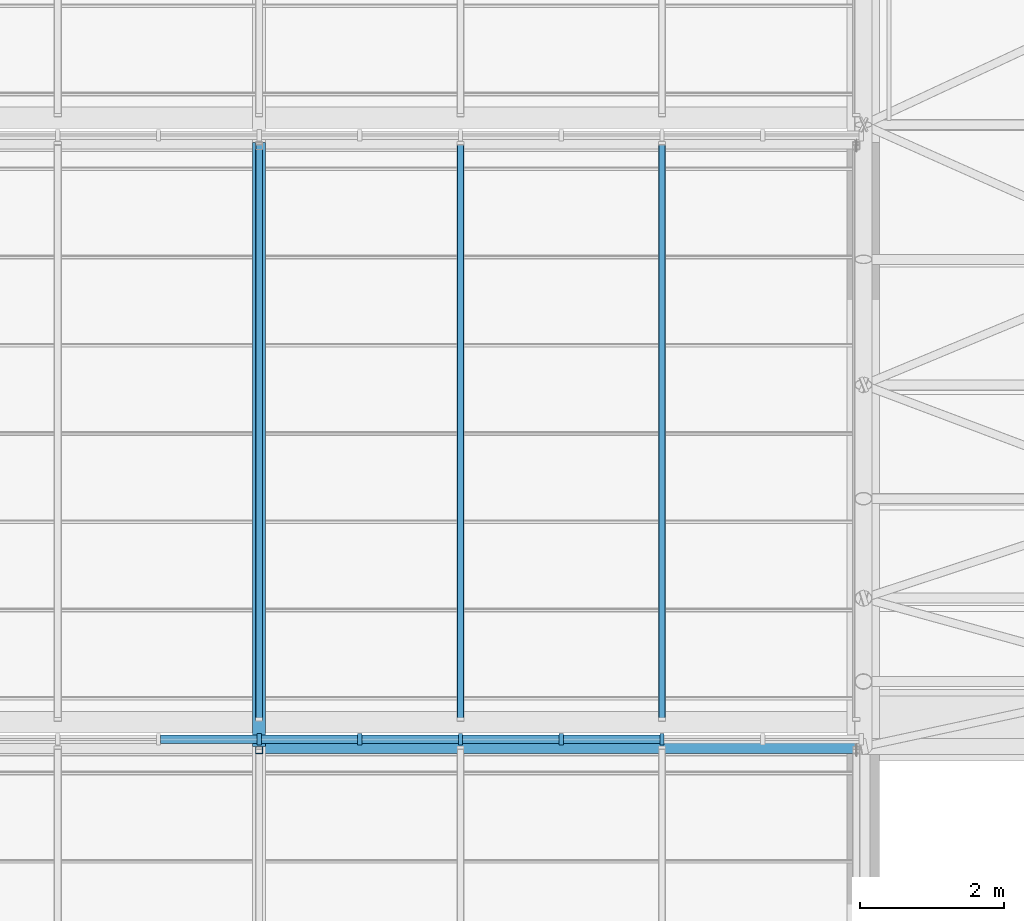
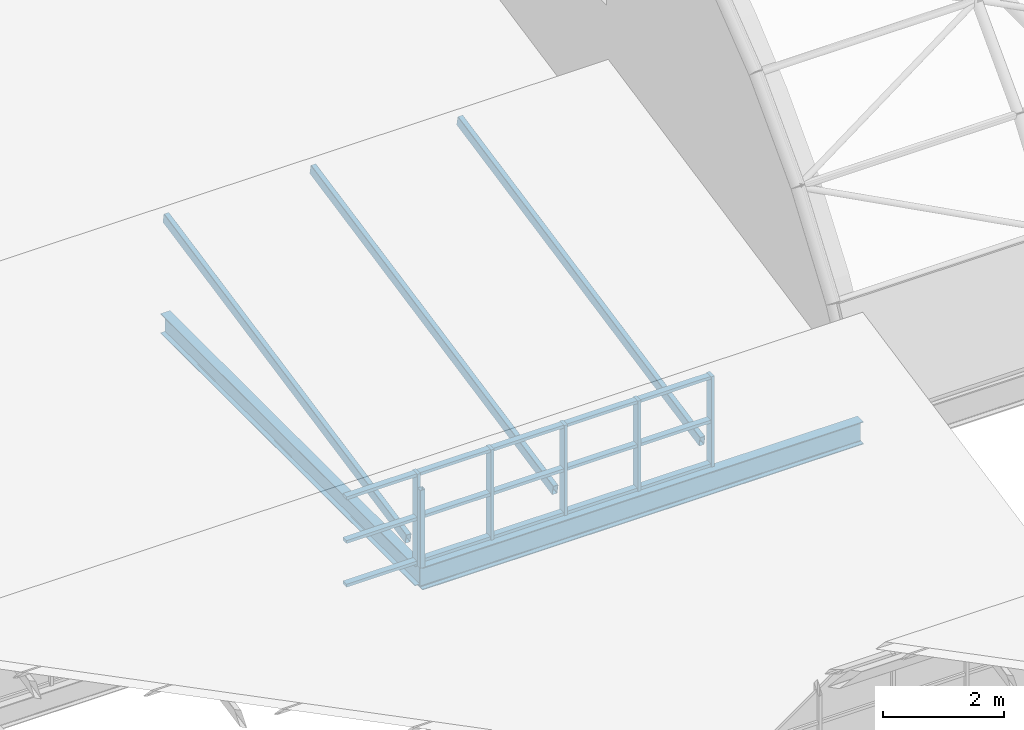
# One storey, part 24 of 121: 24 members, 2 beams, 1 element without a shape of its own.
"""IFC4 building model written with IfcOpenShell, lengths in metres."""

from ifc_helpers import new_model, si_unit, direction, frame, origin, origin_2d, place, context, subcontext, project, spatial, rectangle, hollow_rectangle, i_section, extrude, material, layer, layer_set, material_profile, profile_set, type_object, element, aggregate, save


model = new_model("IFC4")

# Units and contexts
model_context = context("Model", 3, precision=1e-05, world=origin(), true_north=direction((0.0, 1.0)))
body_context = subcontext(model_context, "Body", "Model", "MODEL_VIEW")
ifc_project = project(units=[si_unit("LENGTHUNIT", "METRE"), si_unit("AREAUNIT", "SQUARE_METRE"), si_unit("VOLUMEUNIT", "CUBIC_METRE"), si_unit("PLANEANGLEUNIT", "RADIAN"), si_unit("MASSUNIT", "GRAM", prefix="KILO")], contexts=[model_context])

# Site, building, storey
site_placement = place(None, origin())
site = spatial("IfcSite", under=ifc_project, at=site_placement, CompositionType="ELEMENT")
building_placement = place(site_placement, origin())
building = spatial("IfcBuilding", under=site, at=building_placement, Name="Ardhachandra Cancer Care Centre", CompositionType="ELEMENT")
storey_placement = place(building_placement, frame((0.0, 0.0, 9.0)))
storey = spatial("IfcBuildingStorey", under=building, at=storey_placement, Name="L02", CompositionType="ELEMENT", Elevation=9.0)

# Beams
ifc_material_1 = material(Name="Steel E350 (IS 2062)", Category="steel")
ifc_material_profile_1 = material_profile(ifc_material_1, i_section(OverallWidth=0.179931640625, OverallDepth=0.39990234375, WebThickness=0.008544921875, FlangeThickness=0.013427734375, FilletRadius=0.02099609375, at=origin_2d()), Name="NPB 400x180x66.30")
ifc_profile_set_1 = profile_set([ifc_material_profile_1], Name="Steel E350 (IS 2062)")
beam_type_1 = type_object("IfcBeamType", Name="Beam NPB 400x180x66.30", PredefinedType="BEAM", material=ifc_profile_set_1)
beam_1_placement = place(storey_placement, frame((36.0, 54.60009765625, -0.199951171875), z_axis=(0.0, 1.0, 0.0), x_axis=(-1.0, 0.0, 0.0)))
element("IfcBeam", 1, at=beam_1_placement, inside=storey, type_object=beam_type_1, Name="Roof girder F4-G4", PredefinedType="BEAM", context=body_context, shape_type="SweptSolid", body=[
    extrude(i_section(OverallWidth=0.179931640625, OverallDepth=0.39990234375, WebThickness=0.008544921875, FlangeThickness=0.013427734375, FilletRadius=0.02099609375, at=origin_2d()), origin(), (0.0, 0.0, 1.0), 8.39990234375),
])
ifc_material_2 = material(Name="Steel E350 (IS 2062)", Category="steel")
ifc_material_profile_2 = material_profile(ifc_material_2, i_section(OverallWidth=0.19189453125, OverallDepth=0.4560546875, WebThickness=0.010986328125, FlangeThickness=0.017578125, FilletRadius=0.02099609375, at=origin_2d()), Name="NPB 450x190x92.36")
ifc_profile_set_2 = profile_set([ifc_material_profile_2], Name="Steel E350 (IS 2062)")
beam_type_2 = type_object("IfcBeamType", Name="Beam NPB 450x190x92.36", PredefinedType="BEAM", material=ifc_profile_set_2)
beam_2_placement = place(storey_placement, frame((36.0, 54.60009765625, -0.22802734375), z_axis=(1.0, 0.0, 0.0), x_axis=(0.0, 1.0, 0.0)))
element("IfcBeam", 2, at=beam_2_placement, inside=storey, type_object=beam_type_2, Name="Roof girder F4-F5", PredefinedType="BEAM", context=body_context, shape_type="SweptSolid", body=[
    extrude(i_section(OverallWidth=0.19189453125, OverallDepth=0.4560546875, WebThickness=0.010986328125, FlangeThickness=0.017578125, FilletRadius=0.02099609375, at=origin_2d()), origin(), (0.0, 0.0, 1.0), 8.39990234375),
])

# Curtain wall, members
ifc_material_3 = material(Name="Aluminium extrusion", Category="aluminium")
ifc_layer = layer(ifc_material_3, 0.14990234375)
ifc_layer_set = layer_set([ifc_layer], Name="Aluminium extrusion")
curtain_wall_type = type_object("IfcCurtainWallType", Name="Curtain wall run", PredefinedType="NOTDEFINED", material=ifc_layer_set)
curtain_wall_placement = place(storey_placement, origin())
curtain_wall = element("IfcCurtainWall", 3, at=curtain_wall_placement, inside=storey, type_object=curtain_wall_type, Name="Curtain wall L02 n/0010800_0054700", PredefinedType="NOTDEFINED")
ifc_material_4 = material(Name="Aluminium extrusion", Category="aluminium")
ifc_material_profile_3 = material_profile(ifc_material_4, rectangle(XDim=0.159912109375, YDim=0.06005859375, at=origin_2d()), Name="Curtain wall mullion 60 x 160")
ifc_profile_set_3 = profile_set([ifc_material_profile_3], Name="Aluminium extrusion")
member_type_1 = type_object("IfcMemberType", Name="Curtain wall mullion 60 x 160", PredefinedType="MULLION", material=ifc_profile_set_3)
member_1_placement = place(storey_placement, frame((36.0, 54.699951171875, 0.0), z_axis=(0.0, 0.0, 1.0), x_axis=(0.0, 1.0, 0.0)))
member_1 = element("IfcMember", 4, at=member_1_placement, type_object=member_type_1, Name="CW mullion 19", PredefinedType="MULLION", context=body_context, shape_type="SweptSolid", body=[
    extrude(rectangle(XDim=0.159912109375, YDim=0.06005859375, at=origin_2d()), origin(), (0.0, 0.0, 1.0), 1.820068359375),
])
member_2_placement = place(storey_placement, frame((37.39990234375, 54.699951171875, 0.0), z_axis=(0.0, 0.0, 1.0), x_axis=(0.0, 1.0, 0.0)))
member_2 = element("IfcMember", 5, at=member_2_placement, type_object=member_type_1, Name="CW mullion 20", PredefinedType="MULLION", context=body_context, shape_type="SweptSolid", body=[
    extrude(rectangle(XDim=0.159912109375, YDim=0.06005859375, at=origin_2d()), origin(), (0.0, 0.0, 1.0), 1.820068359375),
])
member_3_placement = place(storey_placement, frame((38.800048828125, 54.699951171875, 0.0), z_axis=(0.0, 0.0, 1.0), x_axis=(0.0, 1.0, 0.0)))
member_3 = element("IfcMember", 6, at=member_3_placement, type_object=member_type_1, Name="CW mullion 21", PredefinedType="MULLION", context=body_context, shape_type="SweptSolid", body=[
    extrude(rectangle(XDim=0.159912109375, YDim=0.06005859375, at=origin_2d()), origin(), (0.0, 0.0, 1.0), 1.820068359375),
])
member_4_placement = place(storey_placement, frame((40.199951171875, 54.699951171875, 0.0), z_axis=(0.0, 0.0, 1.0), x_axis=(0.0, 1.0, 0.0)))
member_4 = element("IfcMember", 7, at=member_4_placement, type_object=member_type_1, Name="CW mullion 22", PredefinedType="MULLION", context=body_context, shape_type="SweptSolid", body=[
    extrude(rectangle(XDim=0.159912109375, YDim=0.06005859375, at=origin_2d()), origin(), (0.0, 0.0, 1.0), 1.820068359375),
])
member_5_placement = place(storey_placement, frame((41.60009765625, 54.699951171875, 0.0), z_axis=(0.0, 0.0, 1.0), x_axis=(0.0, 1.0, 0.0)))
member_5 = element("IfcMember", 8, at=member_5_placement, type_object=member_type_1, Name="CW mullion 23", PredefinedType="MULLION", context=body_context, shape_type="SweptSolid", body=[
    extrude(rectangle(XDim=0.159912109375, YDim=0.06005859375, at=origin_2d()), origin(), (0.0, 0.0, 1.0), 1.820068359375),
])
ifc_material_5 = material(Name="Aluminium extrusion", Category="aluminium")
ifc_material_profile_4 = material_profile(ifc_material_5, rectangle(XDim=0.1201171875, YDim=0.06005859375, at=origin_2d()), Name="Curtain wall transom 60 x 120")
ifc_profile_set_4 = profile_set([ifc_material_profile_4], Name="Aluminium extrusion")
member_type_2 = type_object("IfcMemberType", Name="Curtain wall transom 60 x 120", PredefinedType="USERDEFINED", material=ifc_profile_set_4)
member_6_placement = place(storey_placement, frame((34.6298828125, 54.699951171875, 0.030029296875), z_axis=(1.0, 0.0, 0.0), x_axis=(0.0, 1.0, 0.0)))
member_6 = element("IfcMember", 9, at=member_6_placement, type_object=member_type_2, Name="CW transom 18.1", ObjectType="TRANSOM", PredefinedType="USERDEFINED", context=body_context, shape_type="SweptSolid", body=[
    extrude(rectangle(XDim=0.1201171875, YDim=0.06005859375, at=origin_2d()), origin(), (0.0, 0.0, 1.0), 1.340087890625),
])
member_7_placement = place(storey_placement, frame((34.6298828125, 54.699951171875, 0.909912109375), z_axis=(1.0, 0.0, 0.0), x_axis=(0.0, 1.0, 0.0)))
member_7 = element("IfcMember", 10, at=member_7_placement, type_object=member_type_2, Name="CW transom 18.2", ObjectType="TRANSOM", PredefinedType="USERDEFINED", context=body_context, shape_type="SweptSolid", body=[
    extrude(rectangle(XDim=0.1201171875, YDim=0.06005859375, at=origin_2d()), origin(), (0.0, 0.0, 1.0), 1.340087890625),
])
member_8_placement = place(storey_placement, frame((34.6298828125, 54.699951171875, 1.7900390625), z_axis=(1.0, 0.0, 0.0), x_axis=(0.0, 1.0, 0.0)))
member_8 = element("IfcMember", 11, at=member_8_placement, type_object=member_type_2, Name="CW transom 18.3", ObjectType="TRANSOM", PredefinedType="USERDEFINED", context=body_context, shape_type="SweptSolid", body=[
    extrude(rectangle(XDim=0.1201171875, YDim=0.06005859375, at=origin_2d()), origin(), (0.0, 0.0, 1.0), 1.340087890625),
])
member_9_placement = place(storey_placement, frame((36.030029296875, 54.699951171875, 0.030029296875), z_axis=(1.0, 0.0, 0.0), x_axis=(0.0, 1.0, 0.0)))
member_9 = element("IfcMember", 12, at=member_9_placement, type_object=member_type_2, Name="CW transom 19.1", ObjectType="TRANSOM", PredefinedType="USERDEFINED", context=body_context, shape_type="SweptSolid", body=[
    extrude(rectangle(XDim=0.1201171875, YDim=0.06005859375, at=origin_2d()), origin(), (0.0, 0.0, 1.0), 1.340087890625),
])
member_10_placement = place(storey_placement, frame((36.030029296875, 54.699951171875, 0.909912109375), z_axis=(1.0, 0.0, 0.0), x_axis=(0.0, 1.0, 0.0)))
member_10 = element("IfcMember", 13, at=member_10_placement, type_object=member_type_2, Name="CW transom 19.2", ObjectType="TRANSOM", PredefinedType="USERDEFINED", context=body_context, shape_type="SweptSolid", body=[
    extrude(rectangle(XDim=0.1201171875, YDim=0.06005859375, at=origin_2d()), origin(), (0.0, 0.0, 1.0), 1.340087890625),
])
member_11_placement = place(storey_placement, frame((36.030029296875, 54.699951171875, 1.7900390625), z_axis=(1.0, 0.0, 0.0), x_axis=(0.0, 1.0, 0.0)))
member_11 = element("IfcMember", 14, at=member_11_placement, type_object=member_type_2, Name="CW transom 19.3", ObjectType="TRANSOM", PredefinedType="USERDEFINED", context=body_context, shape_type="SweptSolid", body=[
    extrude(rectangle(XDim=0.1201171875, YDim=0.06005859375, at=origin_2d()), origin(), (0.0, 0.0, 1.0), 1.340087890625),
])
member_12_placement = place(storey_placement, frame((37.429931640625, 54.699951171875, 0.030029296875), z_axis=(1.0, 0.0, 0.0), x_axis=(0.0, 1.0, 0.0)))
member_12 = element("IfcMember", 15, at=member_12_placement, type_object=member_type_2, Name="CW transom 20.1", ObjectType="TRANSOM", PredefinedType="USERDEFINED", context=body_context, shape_type="SweptSolid", body=[
    extrude(rectangle(XDim=0.1201171875, YDim=0.06005859375, at=origin_2d()), origin(), (0.0, 0.0, 1.0), 1.340087890625),
])
member_13_placement = place(storey_placement, frame((37.429931640625, 54.699951171875, 0.909912109375), z_axis=(1.0, 0.0, 0.0), x_axis=(0.0, 1.0, 0.0)))
member_13 = element("IfcMember", 16, at=member_13_placement, type_object=member_type_2, Name="CW transom 20.2", ObjectType="TRANSOM", PredefinedType="USERDEFINED", context=body_context, shape_type="SweptSolid", body=[
    extrude(rectangle(XDim=0.1201171875, YDim=0.06005859375, at=origin_2d()), origin(), (0.0, 0.0, 1.0), 1.340087890625),
])
member_14_placement = place(storey_placement, frame((37.429931640625, 54.699951171875, 1.7900390625), z_axis=(1.0, 0.0, 0.0), x_axis=(0.0, 1.0, 0.0)))
member_14 = element("IfcMember", 17, at=member_14_placement, type_object=member_type_2, Name="CW transom 20.3", ObjectType="TRANSOM", PredefinedType="USERDEFINED", context=body_context, shape_type="SweptSolid", body=[
    extrude(rectangle(XDim=0.1201171875, YDim=0.06005859375, at=origin_2d()), origin(), (0.0, 0.0, 1.0), 1.340087890625),
])
member_15_placement = place(storey_placement, frame((38.830078125, 54.699951171875, 0.030029296875), z_axis=(1.0, 0.0, 0.0), x_axis=(0.0, 1.0, 0.0)))
member_15 = element("IfcMember", 18, at=member_15_placement, type_object=member_type_2, Name="CW transom 21.1", ObjectType="TRANSOM", PredefinedType="USERDEFINED", context=body_context, shape_type="SweptSolid", body=[
    extrude(rectangle(XDim=0.1201171875, YDim=0.06005859375, at=origin_2d()), origin(), (0.0, 0.0, 1.0), 1.33984375),
])
member_16_placement = place(storey_placement, frame((38.830078125, 54.699951171875, 0.909912109375), z_axis=(1.0, 0.0, 0.0), x_axis=(0.0, 1.0, 0.0)))
member_16 = element("IfcMember", 19, at=member_16_placement, type_object=member_type_2, Name="CW transom 21.2", ObjectType="TRANSOM", PredefinedType="USERDEFINED", context=body_context, shape_type="SweptSolid", body=[
    extrude(rectangle(XDim=0.1201171875, YDim=0.06005859375, at=origin_2d()), origin(), (0.0, 0.0, 1.0), 1.33984375),
])
member_17_placement = place(storey_placement, frame((38.830078125, 54.699951171875, 1.7900390625), z_axis=(1.0, 0.0, 0.0), x_axis=(0.0, 1.0, 0.0)))
member_17 = element("IfcMember", 20, at=member_17_placement, type_object=member_type_2, Name="CW transom 21.3", ObjectType="TRANSOM", PredefinedType="USERDEFINED", context=body_context, shape_type="SweptSolid", body=[
    extrude(rectangle(XDim=0.1201171875, YDim=0.06005859375, at=origin_2d()), origin(), (0.0, 0.0, 1.0), 1.33984375),
])
member_18_placement = place(storey_placement, frame((40.22998046875, 54.699951171875, 0.030029296875), z_axis=(1.0, 0.0, 0.0), x_axis=(0.0, 1.0, 0.0)))
member_18 = element("IfcMember", 21, at=member_18_placement, type_object=member_type_2, Name="CW transom 22.1", ObjectType="TRANSOM", PredefinedType="USERDEFINED", context=body_context, shape_type="SweptSolid", body=[
    extrude(rectangle(XDim=0.1201171875, YDim=0.06005859375, at=origin_2d()), origin(), (0.0, 0.0, 1.0), 1.340087890625),
])
member_19_placement = place(storey_placement, frame((40.22998046875, 54.699951171875, 0.909912109375), z_axis=(1.0, 0.0, 0.0), x_axis=(0.0, 1.0, 0.0)))
member_19 = element("IfcMember", 22, at=member_19_placement, type_object=member_type_2, Name="CW transom 22.2", ObjectType="TRANSOM", PredefinedType="USERDEFINED", context=body_context, shape_type="SweptSolid", body=[
    extrude(rectangle(XDim=0.1201171875, YDim=0.06005859375, at=origin_2d()), origin(), (0.0, 0.0, 1.0), 1.340087890625),
])
member_20_placement = place(storey_placement, frame((40.22998046875, 54.699951171875, 1.7900390625), z_axis=(1.0, 0.0, 0.0), x_axis=(0.0, 1.0, 0.0)))
member_20 = element("IfcMember", 23, at=member_20_placement, type_object=member_type_2, Name="CW transom 22.3", ObjectType="TRANSOM", PredefinedType="USERDEFINED", context=body_context, shape_type="SweptSolid", body=[
    extrude(rectangle(XDim=0.1201171875, YDim=0.06005859375, at=origin_2d()), origin(), (0.0, 0.0, 1.0), 1.340087890625),
])
aggregate(curtain_wall, [member_1, member_2, member_3, member_4, member_5, member_6, member_7, member_8, member_9, member_10, member_11, member_12, member_13, member_14, member_15, member_16, member_17, member_18, member_19, member_20])

# Members
ifc_material_6 = material(Name="Steel E350 (IS 2062)", Category="steel")
ifc_material_profile_5 = material_profile(ifc_material_6, hollow_rectangle(XDim=0.10009765625, YDim=0.199951171875, WallThickness=0.006103515625, InnerFilletRadius=0.006103515625, OuterFilletRadius=0.011962890625, at=origin_2d()), Name="RHS 200x100x6.0")
ifc_profile_set_5 = profile_set([ifc_material_profile_5], Name="Steel E350 (IS 2062)")
member_type_3 = type_object("IfcMemberType", Name="Roof rafter RHS 200x100x6.0", PredefinedType="RAFTER", material=ifc_profile_set_5)
for number, where, z_axis, x_axis, name in (
    (24, (36.0, 54.980224609375, 0.298095703125), (0.0, 0.980109665583, 0.198456653782), (-1.0, 0.0, 0.0), "Rafter T4a.10"),
    (25, (38.800048828125, 54.980224609375, 0.298095703125), (0.0, 0.980109665583, 0.198456653782), (-1.0, 0.0, 0.0), "Rafter T4a.11"),
    (26, (41.60009765625, 54.980224609375, 0.298095703125), (0.0, 0.980109665583, 0.198456653782), (-1.0, 0.0, 0.0), "Rafter T4a.12"),
):
    element("IfcMember", number, at=place(storey_placement, frame(where, z_axis=z_axis, x_axis=x_axis)), inside=storey, type_object=member_type_3, Name=name, PredefinedType="RAFTER", context=body_context, shape_type="SweptSolid", body=[
        extrude(hollow_rectangle(XDim=0.10009765625, YDim=0.199951171875, WallThickness=0.006103515625, InnerFilletRadius=0.006103515625, OuterFilletRadius=0.011962890625, at=origin_2d()), origin(), (0.0, 0.0, 1.0), 8.162353515625),
    ])
ifc_material_7 = material(Name="Steel E350 (IS 2062)", Category="steel")
ifc_material_profile_6 = material_profile(ifc_material_7, hollow_rectangle(XDim=0.10009765625, YDim=0.10009765625, WallThickness=0.0048828125, InnerFilletRadius=0.0048828125, OuterFilletRadius=0.010009765625, at=origin_2d()), Name="SHS 100x100x5.0")
ifc_profile_set_6 = profile_set([ifc_material_profile_6], Name="Steel E350 (IS 2062)")
member_type_4 = type_object("IfcMemberType", Name="Sawtooth ridge post SHS 100x100x5.0", PredefinedType="POST", material=ifc_profile_set_6)
member_21_placement = place(storey_placement, frame((36.0, 54.550048828125, 0.0), z_axis=(0.0, 0.0, 1.0), x_axis=(1.0, 0.0, 0.0)))
element("IfcMember", 27, at=member_21_placement, inside=storey, type_object=member_type_4, Name="Ridge post T3a.4", PredefinedType="POST", context=body_context, shape_type="SweptSolid", body=[
    extrude(hollow_rectangle(XDim=0.10009765625, YDim=0.10009765625, WallThickness=0.0048828125, InnerFilletRadius=0.0048828125, OuterFilletRadius=0.010009765625, at=origin_2d()), origin(), (0.0, 0.0, 1.0), 1.5673828125),
])

save(model, "model.ifc")
